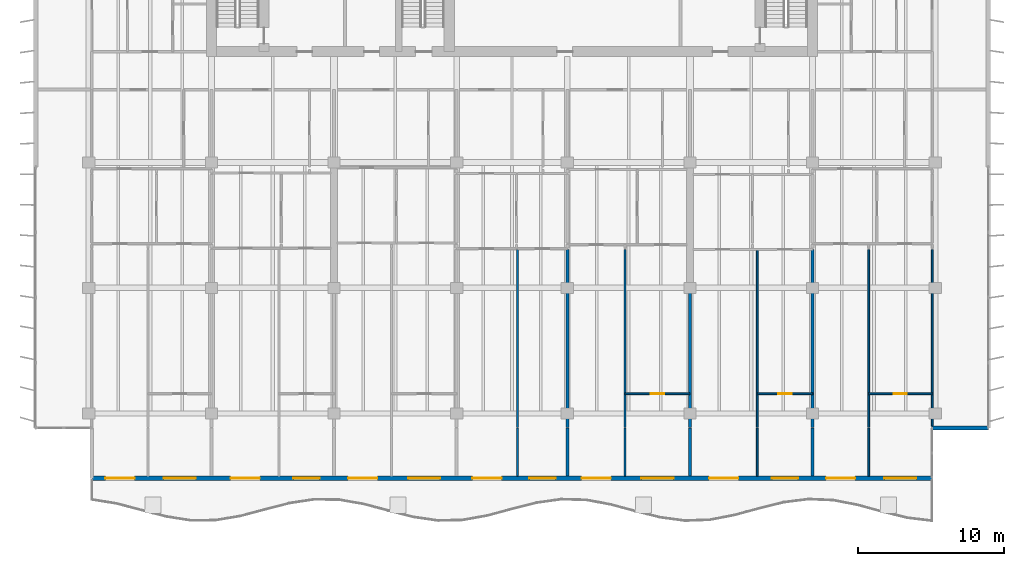
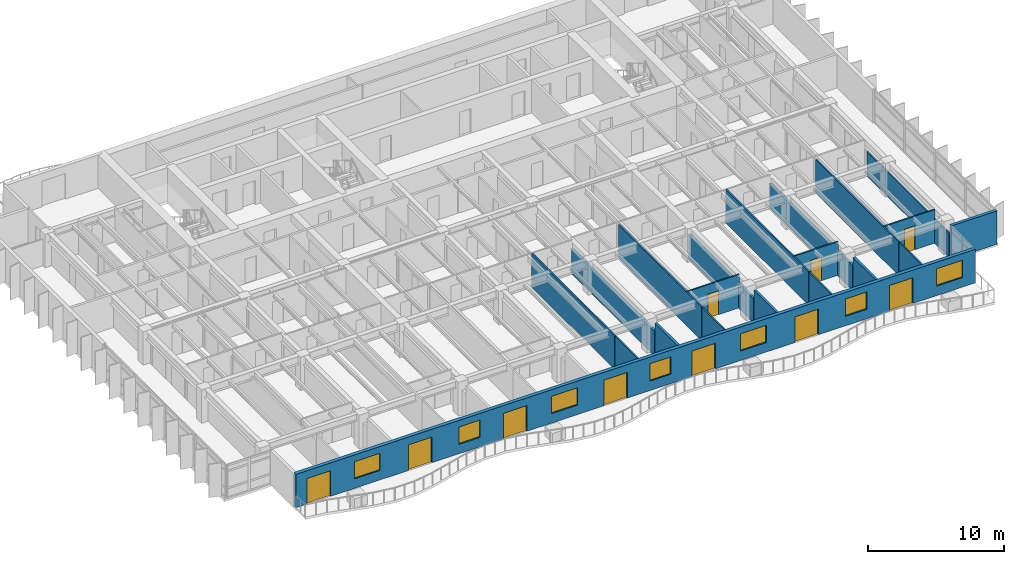
# One storey, part 10 of 19: 20 walls, 10 doors, 7 windows, 17 openings.
"""IFC4 building model written with IfcOpenShell, lengths in metres."""

import ifcopenshell
import ifcopenshell.guid

model = None  # the IFC model being written
_history = None  # IfcOwnerHistory: only IFC2X3 demands one
_inside = {}  # id of a spatial element -> (the spatial element, [elements in it])
_under = {}  # id of a project, library or spatial element -> (it, [spatial elements below it])
_declared = {}  # id of a project -> (the project, [libraries it declares])
_typed = {}  # id of a type object -> (the type object, [elements of that type])
_made_of = {}  # id of a material, layer set ... -> (it, [elements and type objects made of it])


def new_model(schema):
    """Start an empty IFC model of exactly this schema.

    Asked for "IFC4X3", IfcOpenShell would pick the latest addendum, in which some entities
    have other attributes; the version numbers below select the first issue.
    IFC2X3 requires an IfcOwnerHistory on every rooted entity: one is made here for all.
    """
    global model, _history
    if schema == "IFC4X3":
        model = ifcopenshell.file(schema_version=(4, 3, 0, 0))
    else:
        model = ifcopenshell.file(schema=schema)
    _inside.clear()
    _under.clear()
    _declared.clear()
    _typed.clear()
    _made_of.clear()
    _history = None
    if model.schema == "IFC2X3":
        org = make("IfcOrganization", Name="unknown")
        user = make(
            "IfcPersonAndOrganization",
            ThePerson=make("IfcPerson", FamilyName="unknown"),
            TheOrganization=org,
        )
        app = make(
            "IfcApplication",
            ApplicationDeveloper=org,
            Version="unknown",
            ApplicationFullName="unknown",
            ApplicationIdentifier="unknown",
        )
        _history = make(
            "IfcOwnerHistory",
            OwningUser=user,
            OwningApplication=app,
            ChangeAction="ADDED",
            CreationDate=0,
        )
    return model


def make(cls, **values):
    """One entity of the class cls with the attributes given. An attribute that is None is left unset."""
    return model.create_entity(
        cls, **{name: value for name, value in values.items() if value is not None}
    )


def rooted(cls, **values):
    """An entity with a GlobalId (a new one), such as an element, a storey or a relation."""
    return make(cls, GlobalId=ifcopenshell.guid.new(), OwnerHistory=_history, **values)


def si_unit(unit_type, name, prefix=None):
    """IfcSIUnit, for example si_unit("LENGTHUNIT", "METRE", prefix="MILLI")."""
    return make("IfcSIUnit", UnitType=unit_type, Prefix=prefix, Name=name)


def assignment(units):
    """IfcUnitAssignment: the units of a project."""
    return None if units is None else make("IfcUnitAssignment", Units=units)


def point(xyz):
    """IfcCartesianPoint."""
    return None if xyz is None else make("IfcCartesianPoint", Coordinates=xyz)


def direction(xyz):
    """IfcDirection."""
    return None if xyz is None else make("IfcDirection", DirectionRatios=xyz)


def frame(location, z_axis=None, x_axis=None):
    """IfcAxis2Placement3D, a coordinate frame: its origin and axes. An axis left out is left unset."""
    return make(
        "IfcAxis2Placement3D",
        Location=point(location),
        Axis=direction(z_axis),
        RefDirection=direction(x_axis),
    )


def frame_2d(location, x_axis=None):
    """IfcAxis2Placement2D, a coordinate frame in the plane: its origin and x axis."""
    return make(
        "IfcAxis2Placement2D", Location=point(location), RefDirection=direction(x_axis)
    )


def origin():
    """The frame at (0, 0, 0) with its axes left unset."""
    return frame((0.0, 0.0, 0.0))


def place(relative_to, where):
    """IfcLocalPlacement: puts the frame where relative to a parent placement (None: the world)."""
    return make(
        "IfcLocalPlacement", PlacementRelTo=relative_to, RelativePlacement=where
    )


def context(
    kind, dimensions, precision=None, world=None, true_north=None, identifier=None
):
    """IfcGeometricRepresentationContext, for example the 3D "Model" context."""
    return make(
        "IfcGeometricRepresentationContext",
        ContextIdentifier=identifier,
        ContextType=kind,
        CoordinateSpaceDimension=dimensions,
        Precision=precision,
        WorldCoordinateSystem=world,
        TrueNorth=true_north,
    )


def subcontext(parent, identifier, kind, view, scale=None):
    """IfcGeometricRepresentationSubContext, for example "Body" below "Model"."""
    return make(
        "IfcGeometricRepresentationSubContext",
        ContextIdentifier=identifier,
        ContextType=kind,
        ParentContext=parent,
        TargetScale=scale,
        TargetView=view,
    )


def project(units=None, contexts=None):
    """IfcProject with its units and contexts."""
    return rooted(
        "IfcProject",
        Name="project",
        RepresentationContexts=contexts,
        UnitsInContext=assignment(units),
    )


def spatial(cls, under=None, at=None, **own):
    """A site, building, storey or space (cls), placed at a placement, below another one or the project."""
    s = rooted(cls, ObjectPlacement=at, **own)
    if under is not None:
        _under.setdefault(under.id(), (under, []))[1].append(s)
    return s


def profile(cls, at=None, kind="AREA", **sizes):
    """A parametric profile (cls). Its sizes go by their IFC names, for example OverallWidth=200.0."""
    return make(cls, ProfileType=kind, Position=at, **sizes)


def rectangle(**sizes):
    """IfcRectangleProfileDef."""
    return profile("IfcRectangleProfileDef", **sizes)


def extrude(swept, where, along, depth):
    """IfcExtrudedAreaSolid: the profile swept, set in the frame where, extruded along a direction by depth."""
    return make(
        "IfcExtrudedAreaSolid",
        SweptArea=swept,
        Position=where,
        ExtrudedDirection=direction(along),
        Depth=depth,
    )


def shape(context_of_items, identifier, shape_type, items):
    """IfcShapeRepresentation: the items that make up one representation, for example the "Body"."""
    return make(
        "IfcShapeRepresentation",
        ContextOfItems=context_of_items,
        RepresentationIdentifier=identifier,
        RepresentationType=shape_type,
        Items=items,
    )


def material(Name=None, Category=None):
    """IfcMaterial."""
    return make("IfcMaterial", Name=Name, Category=Category)


def layer(
    of_material, thickness, ventilated=None, Name=None, Category=None, Priority=None
):
    """IfcMaterialLayer: one layer of a wall or slab, of a material (None: an air gap)."""
    return make(
        "IfcMaterialLayer",
        Material=of_material,
        LayerThickness=thickness,
        IsVentilated=ventilated,
        Name=Name,
        Category=Category,
        Priority=Priority,
    )


def layer_set(layers, Name=None):
    """IfcMaterialLayerSet."""
    return make("IfcMaterialLayerSet", MaterialLayers=layers, LayerSetName=Name)


def made_of(thing, what):
    """Note that an element or type object is made of a material, layer set ...; save() writes the relation."""
    if what is not None:
        _made_of.setdefault(what.id(), (what, []))[1].append(thing)
    return thing


def type_object(cls, material=None, **own):
    """A type object (cls), such as IfcWallType, which elements share."""
    return made_of(rooted(cls, **own), material)


def element(
    cls,
    number,
    at=None,
    inside=None,
    cuts=None,
    type_object=None,
    material=None,
    context=None,
    identifier="Body",
    shape_type=None,
    held_by="IfcProductDefinitionShape",
    body=None,
    shapes=None,
    **own,
):
    """One element of the class cls, such as IfcWall. Its Tag is "e" and its number.

    at: its placement. inside: the storey or other place that contains it. cuts: it is an
    opening in that element (IfcRelVoidsElement). A single representation is given by context,
    identifier, shape_type and body (its items); several are given by shapes. held_by: the class
    of the entity that holds the representations. save() writes the other relations.
    """
    e = rooted(cls, Tag="e%d" % number, ObjectPlacement=at, **own)
    if body is not None:
        shapes = [shape(context, identifier, shape_type, body)]
    if shapes is not None:
        e.Representation = make(held_by, Representations=shapes)
    if inside is not None:
        _inside.setdefault(inside.id(), (inside, []))[1].append(e)
    if cuts is not None:
        rooted(
            "IfcRelVoidsElement", RelatingBuildingElement=cuts, RelatedOpeningElement=e
        )
    if type_object is not None:
        _typed.setdefault(type_object.id(), (type_object, []))[1].append(e)
    return made_of(e, material)


def fill(opening, filler):
    """IfcRelFillsElement: the door or window that sits in an opening."""
    return rooted(
        "IfcRelFillsElement",
        RelatingOpeningElement=opening,
        RelatedBuildingElement=filler,
    )


def aggregate(whole, parts):
    """IfcRelAggregates: a whole, such as a stair, and the parts it consists of."""
    return rooted("IfcRelAggregates", RelatingObject=whole, RelatedObjects=parts)


def save(model, path):
    """Write the relations noted so far, then the file.

    IfcRelAggregates (storeys below a building ...), IfcRelContainedInSpatialStructure (elements
    in a storey), IfcRelDefinesByType, IfcRelAssociatesMaterial and IfcRelDeclares: one each for
    every whole, place, type object, material and project.
    """
    for whole, parts in _under.values():
        aggregate(whole, parts)
    for where, things in _inside.values():
        rooted(
            "IfcRelContainedInSpatialStructure",
            RelatedElements=things,
            RelatingStructure=where,
        )
    for kind, things in _typed.values():
        rooted("IfcRelDefinesByType", RelatedObjects=things, RelatingType=kind)
    for what, things in _made_of.values():
        rooted("IfcRelAssociatesMaterial", RelatedObjects=things, RelatingMaterial=what)
    for by, libraries in _declared.values():
        rooted("IfcRelDeclares", RelatingContext=by, RelatedDefinitions=libraries)
    model.write(path)


model = new_model("IFC4")

# Units and contexts
model_context = context("Model", 3, precision=1e-05, world=origin(), true_north=direction((0.0, 1.0)))
body_context = subcontext(model_context, "Body", "Model", "MODEL_VIEW")
ifc_project = project(units=[si_unit("LENGTHUNIT", "METRE"), si_unit("AREAUNIT", "SQUARE_METRE"), si_unit("VOLUMEUNIT", "CUBIC_METRE"), si_unit("PLANEANGLEUNIT", "RADIAN"), si_unit("MASSUNIT", "GRAM", prefix="KILO")], contexts=[model_context])

# Site, building, storey
site_placement = place(None, origin())
site = spatial("IfcSite", under=ifc_project, at=site_placement, CompositionType="ELEMENT")
building_placement = place(site_placement, origin())
building = spatial("IfcBuilding", under=site, at=building_placement, Name="Caelmar Bay Residences", CompositionType="ELEMENT")
storey_placement = place(building_placement, frame((0.0, 0.0, 218.10009765625)))
storey = spatial("IfcBuildingStorey", under=building, at=storey_placement, Name="L61", CompositionType="ELEMENT", Elevation=218.10009765625)

# Wall
ifc_material_1 = material(Name="Precast concrete f'c 40 MPa (6,000 psi)", Category="concrete")
ifc_layer_1 = layer(ifc_material_1, 0.25)
ifc_layer_set_1 = layer_set([ifc_layer_1], Name="Precast concrete f'c 40 MPa (6,000 psi)")
wall_type_1 = type_object("IfcWallType", Name="W-EXT-250", PredefinedType="ELEMENTEDWALL", material=ifc_layer_set_1)
wall_1_placement = place(storey_placement, frame((67.699951171875, 11.199951171875, 0.0), z_axis=(0.0, 0.0, 1.0), x_axis=(1.0, 0.0, 0.0)))
element("IfcWall", 1, at=wall_1_placement, inside=storey, type_object=wall_type_1, Name="L61 SE Notch Return Wall", PredefinedType="ELEMENTEDWALL", context=body_context, shape_type="SweptSolid", body=[
    extrude(rectangle(XDim=3.85009765625, YDim=0.25, at=frame_2d((1.925048828125, 0.0))), origin(), (0.0, 0.0, 1.0), 3.0),
])

# Wall, openings, doors, windows
ifc_layer_2 = layer(ifc_material_1, 0.300048828125)
ifc_layer_set_2 = layer_set([ifc_layer_2], Name="Precast concrete f'c 40 MPa (6,000 psi)")
wall_type_2 = type_object("IfcWallType", Name="W-EXT-300", PredefinedType="STANDARD", material=ifc_layer_set_2)
wall_2_placement = place(storey_placement, frame((67.699951171875, 7.75, 0.0), z_axis=(0.0, 0.0, 1.0), x_axis=(-1.0, 0.0, 0.0)))
wall_2 = element("IfcWall", 2, at=wall_2_placement, inside=storey, type_object=wall_type_2, Name="L61 South Bayfront Exterior Wall", PredefinedType="STANDARD", context=body_context, shape_type="SweptSolid", body=[
    extrude(rectangle(XDim=57.599853515625, YDim=0.300048828125, at=frame_2d((28.7998046875, 0.0))), origin(), (0.0, 0.0, 1.0), 3.0),
])
opening_1_placement = place(wall_2_placement, frame((54.673095703125, 0.0, 0.0)))
opening_1 = element("IfcOpeningElement", 3, at=opening_1_placement, cuts=wall_2, Name="Opening L61-BD01", PredefinedType="OPENING", context=body_context, shape_type="SweptSolid", body=[
    extrude(rectangle(XDim=2.0, YDim=2.300048828125, at=frame_2d((1.0, 1.14990234375))), frame((0.0, 0.159912109375, 0.0), z_axis=(0.0, -1.0, 0.0), x_axis=(1.0, 0.0, 0.0)), (0.0, 0.0, 1.0), 0.320068359375),
])
opening_2_placement = place(wall_2_placement, frame((50.472900390625, 0.0, 0.85009765625)))
opening_2 = element("IfcOpeningElement", 4, at=opening_2_placement, cuts=wall_2, Name="Opening WN2", PredefinedType="OPENING", context=body_context, shape_type="SweptSolid", body=[
    extrude(rectangle(XDim=2.199951171875, YDim=1.550048828125, at=frame_2d((1.10009765625, 0.77490234375))), frame((0.0, 0.159912109375, 0.0), z_axis=(0.0, -1.0, 0.0), x_axis=(1.0, 0.0, 0.0)), (0.0, 0.0, 1.0), 0.320068359375),
])
opening_3_placement = place(wall_2_placement, frame((46.090087890625, 0.0, 0.0)))
opening_3 = element("IfcOpeningElement", 5, at=opening_3_placement, cuts=wall_2, Name="Opening L61-BD02", PredefinedType="OPENING", context=body_context, shape_type="SweptSolid", body=[
    extrude(rectangle(XDim=2.0, YDim=2.300048828125, at=frame_2d((1.0, 1.14990234375))), frame((0.0, 0.159912109375, 0.0), z_axis=(0.0, -1.0, 0.0), x_axis=(1.0, 0.0, 0.0)), (0.0, 0.0, 1.0), 0.320068359375),
])
opening_4_placement = place(wall_2_placement, frame((41.989990234375, 0.0, 0.85009765625)))
opening_4 = element("IfcOpeningElement", 6, at=opening_4_placement, cuts=wall_2, Name="Opening WN1", PredefinedType="OPENING", context=body_context, shape_type="SweptSolid", body=[
    extrude(rectangle(XDim=1.800048828125, YDim=1.550048828125, at=frame_2d((0.89990234375, 0.77490234375))), frame((0.0, 0.159912109375, 0.0), z_axis=(0.0, -1.0, 0.0), x_axis=(1.0, 0.0, 0.0)), (0.0, 0.0, 1.0), 0.320068359375),
])
opening_5_placement = place(wall_2_placement, frame((38.02587890625, 0.0, 0.0)))
opening_5 = element("IfcOpeningElement", 7, at=opening_5_placement, cuts=wall_2, Name="Opening L61-BD03", PredefinedType="OPENING", context=body_context, shape_type="SweptSolid", body=[
    extrude(rectangle(XDim=2.0, YDim=2.300048828125, at=frame_2d((1.0, 1.14990234375))), frame((0.0, 0.159912109375, 0.0), z_axis=(0.0, -1.0, 0.0), x_axis=(1.0, 0.0, 0.0)), (0.0, 0.0, 1.0), 0.320068359375),
])
opening_6_placement = place(wall_2_placement, frame((33.72607421875, 0.0, 0.85009765625)))
opening_6 = element("IfcOpeningElement", 8, at=opening_6_placement, cuts=wall_2, Name="Opening WN2", PredefinedType="OPENING", context=body_context, shape_type="SweptSolid", body=[
    extrude(rectangle(XDim=2.199951171875, YDim=1.550048828125, at=frame_2d((1.10009765625, 0.77490234375))), frame((0.0, 0.159912109375, 0.0), z_axis=(0.0, -1.0, 0.0), x_axis=(1.0, 0.0, 0.0)), (0.0, 0.0, 1.0), 0.320068359375),
])
opening_7_placement = place(wall_2_placement, frame((29.510009765625, 0.0, 0.0)))
opening_7 = element("IfcOpeningElement", 9, at=opening_7_placement, cuts=wall_2, Name="Opening L61-BD04", PredefinedType="OPENING", context=body_context, shape_type="SweptSolid", body=[
    extrude(rectangle(XDim=2.0, YDim=2.300048828125, at=frame_2d((1.0, 1.14990234375))), frame((0.0, 0.159912109375, 0.0), z_axis=(0.0, -1.0, 0.0), x_axis=(1.0, 0.0, 0.0)), (0.0, 0.0, 1.0), 0.320068359375),
])
opening_8_placement = place(wall_2_placement, frame((25.81005859375, 0.0, 0.85009765625)))
opening_8 = element("IfcOpeningElement", 10, at=opening_8_placement, cuts=wall_2, Name="Opening WN1", PredefinedType="OPENING", context=body_context, shape_type="SweptSolid", body=[
    extrude(rectangle(XDim=1.800048828125, YDim=1.550048828125, at=frame_2d((0.89990234375, 0.77490234375))), frame((0.0, 0.159912109375, 0.0), z_axis=(0.0, -1.0, 0.0), x_axis=(1.0, 0.0, 0.0)), (0.0, 0.0, 1.0), 0.320068359375),
])
opening_9_placement = place(wall_2_placement, frame((22.02587890625, 0.0, 0.0)))
opening_9 = element("IfcOpeningElement", 11, at=opening_9_placement, cuts=wall_2, Name="Opening L61-BD05", PredefinedType="OPENING", context=body_context, shape_type="SweptSolid", body=[
    extrude(rectangle(XDim=2.0, YDim=2.300048828125, at=frame_2d((1.0, 1.14990234375))), frame((0.0, 0.159912109375, 0.0), z_axis=(0.0, -1.0, 0.0), x_axis=(1.0, 0.0, 0.0)), (0.0, 0.0, 1.0), 0.320068359375),
])
opening_10_placement = place(wall_2_placement, frame((17.72607421875, 0.0, 0.85009765625)))
opening_10 = element("IfcOpeningElement", 12, at=opening_10_placement, cuts=wall_2, Name="Opening WN2", PredefinedType="OPENING", context=body_context, shape_type="SweptSolid", body=[
    extrude(rectangle(XDim=2.199951171875, YDim=1.550048828125, at=frame_2d((1.10009765625, 0.77490234375))), frame((0.0, 0.159912109375, 0.0), z_axis=(0.0, -1.0, 0.0), x_axis=(1.0, 0.0, 0.0)), (0.0, 0.0, 1.0), 0.320068359375),
])
opening_11_placement = place(wall_2_placement, frame((13.2900390625, 0.0, 0.0)))
opening_11 = element("IfcOpeningElement", 13, at=opening_11_placement, cuts=wall_2, Name="Opening L61-BD06", PredefinedType="OPENING", context=body_context, shape_type="SweptSolid", body=[
    extrude(rectangle(XDim=2.0, YDim=2.300048828125, at=frame_2d((1.0, 1.14990234375))), frame((0.0, 0.159912109375, 0.0), z_axis=(0.0, -1.0, 0.0), x_axis=(1.0, 0.0, 0.0)), (0.0, 0.0, 1.0), 0.320068359375),
])
opening_12_placement = place(wall_2_placement, frame((9.18994140625, 0.0, 0.85009765625)))
opening_12 = element("IfcOpeningElement", 14, at=opening_12_placement, cuts=wall_2, Name="Opening WN1", PredefinedType="OPENING", context=body_context, shape_type="SweptSolid", body=[
    extrude(rectangle(XDim=1.800048828125, YDim=1.550048828125, at=frame_2d((0.89990234375, 0.77490234375))), frame((0.0, 0.159912109375, 0.0), z_axis=(0.0, -1.0, 0.0), x_axis=(1.0, 0.0, 0.0)), (0.0, 0.0, 1.0), 0.320068359375),
])
opening_13_placement = place(wall_2_placement, frame((5.27294921875, 0.0, 0.0)))
opening_13 = element("IfcOpeningElement", 15, at=opening_13_placement, cuts=wall_2, Name="Opening L61-BD07", PredefinedType="OPENING", context=body_context, shape_type="SweptSolid", body=[
    extrude(rectangle(XDim=2.0, YDim=2.300048828125, at=frame_2d((1.0, 1.14990234375))), frame((0.0, 0.159912109375, 0.0), z_axis=(0.0, -1.0, 0.0), x_axis=(1.0, 0.0, 0.0)), (0.0, 0.0, 1.0), 0.320068359375),
])
opening_14_placement = place(wall_2_placement, frame((1.072998046875, 0.0, 0.85009765625)))
opening_14 = element("IfcOpeningElement", 16, at=opening_14_placement, cuts=wall_2, Name="Opening WN2", PredefinedType="OPENING", context=body_context, shape_type="SweptSolid", body=[
    extrude(rectangle(XDim=2.199951171875, YDim=1.550048828125, at=frame_2d((1.10009765625, 0.77490234375))), frame((0.0, 0.159912109375, 0.0), z_axis=(0.0, -1.0, 0.0), x_axis=(1.0, 0.0, 0.0)), (0.0, 0.0, 1.0), 0.320068359375),
])
ifc_material_2 = material(Name="Anodised bronze thermally broken sliding glass door", Category="glass")
ifc_layer_3 = layer(ifc_material_2, 0.050048828125)
ifc_layer_set_3 = layer_set([ifc_layer_3], Name="Anodised bronze thermally broken sliding glass door")
door_type_1 = type_object("IfcDoorType", Name="D-BAL-2000", OperationType="DOUBLE_DOOR_SLIDING", PredefinedType="DOOR", material=ifc_layer_set_3)
door_1_placement = place(opening_1_placement, origin())
door_1 = element("IfcDoor", 17, at=door_1_placement, inside=storey, type_object=door_type_1, Name="L61 Residence 01 Living Room Balcony Door", OperationType="DOUBLE_DOOR_SLIDING", OverallHeight=2.300048828125, OverallWidth=2.0, PredefinedType="DOOR", context=body_context, shape_type="SweptSolid", body=[
    extrude(rectangle(XDim=2.0, YDim=2.300048828125, at=frame_2d((1.0, 1.14990234375))), frame((0.0, 0.02490234375, 0.0), z_axis=(0.0, -1.0, 0.0), x_axis=(1.0, 0.0, 0.0)), (0.0, 0.0, 1.0), 0.050048828125),
])
fill(opening_1, door_1)
door_2_placement = place(opening_3_placement, origin())
door_2 = element("IfcDoor", 18, at=door_2_placement, inside=storey, type_object=door_type_1, Name="L61 Residence 02 Living Room Balcony Door", OperationType="DOUBLE_DOOR_SLIDING", OverallHeight=2.300048828125, OverallWidth=2.0, PredefinedType="DOOR", context=body_context, shape_type="SweptSolid", body=[
    extrude(rectangle(XDim=2.0, YDim=2.300048828125, at=frame_2d((1.0, 1.14990234375))), frame((0.0, 0.02490234375, 0.0), z_axis=(0.0, -1.0, 0.0), x_axis=(1.0, 0.0, 0.0)), (0.0, 0.0, 1.0), 0.050048828125),
])
fill(opening_3, door_2)
door_3_placement = place(opening_5_placement, origin())
door_3 = element("IfcDoor", 19, at=door_3_placement, inside=storey, type_object=door_type_1, Name="L61 Residence 03 Living Room Balcony Door", OperationType="DOUBLE_DOOR_SLIDING", OverallHeight=2.300048828125, OverallWidth=2.0, PredefinedType="DOOR", context=body_context, shape_type="SweptSolid", body=[
    extrude(rectangle(XDim=2.0, YDim=2.300048828125, at=frame_2d((1.0, 1.14990234375))), frame((0.0, 0.02490234375, 0.0), z_axis=(0.0, -1.0, 0.0), x_axis=(1.0, 0.0, 0.0)), (0.0, 0.0, 1.0), 0.050048828125),
])
fill(opening_5, door_3)
door_4_placement = place(opening_7_placement, origin())
door_4 = element("IfcDoor", 20, at=door_4_placement, inside=storey, type_object=door_type_1, Name="L61 Residence 04 Living Room Balcony Door", OperationType="DOUBLE_DOOR_SLIDING", OverallHeight=2.300048828125, OverallWidth=2.0, PredefinedType="DOOR", context=body_context, shape_type="SweptSolid", body=[
    extrude(rectangle(XDim=2.0, YDim=2.300048828125, at=frame_2d((1.0, 1.14990234375))), frame((0.0, 0.02490234375, 0.0), z_axis=(0.0, -1.0, 0.0), x_axis=(1.0, 0.0, 0.0)), (0.0, 0.0, 1.0), 0.050048828125),
])
fill(opening_7, door_4)
door_5_placement = place(opening_9_placement, origin())
door_5 = element("IfcDoor", 21, at=door_5_placement, inside=storey, type_object=door_type_1, Name="L61 Residence 05 Living Room Balcony Door", OperationType="DOUBLE_DOOR_SLIDING", OverallHeight=2.300048828125, OverallWidth=2.0, PredefinedType="DOOR", context=body_context, shape_type="SweptSolid", body=[
    extrude(rectangle(XDim=2.0, YDim=2.300048828125, at=frame_2d((1.0, 1.14990234375))), frame((0.0, 0.02490234375, 0.0), z_axis=(0.0, -1.0, 0.0), x_axis=(1.0, 0.0, 0.0)), (0.0, 0.0, 1.0), 0.050048828125),
])
fill(opening_9, door_5)
door_6_placement = place(opening_11_placement, origin())
door_6 = element("IfcDoor", 22, at=door_6_placement, inside=storey, type_object=door_type_1, Name="L61 Residence 06 Living Room Balcony Door", OperationType="DOUBLE_DOOR_SLIDING", OverallHeight=2.300048828125, OverallWidth=2.0, PredefinedType="DOOR", context=body_context, shape_type="SweptSolid", body=[
    extrude(rectangle(XDim=2.0, YDim=2.300048828125, at=frame_2d((1.0, 1.14990234375))), frame((0.0, 0.02490234375, 0.0), z_axis=(0.0, -1.0, 0.0), x_axis=(1.0, 0.0, 0.0)), (0.0, 0.0, 1.0), 0.050048828125),
])
fill(opening_11, door_6)
door_7_placement = place(opening_13_placement, origin())
door_7 = element("IfcDoor", 23, at=door_7_placement, inside=storey, type_object=door_type_1, Name="L61 Residence 07 Living Room Balcony Door", OperationType="DOUBLE_DOOR_SLIDING", OverallHeight=2.300048828125, OverallWidth=2.0, PredefinedType="DOOR", context=body_context, shape_type="SweptSolid", body=[
    extrude(rectangle(XDim=2.0, YDim=2.300048828125, at=frame_2d((1.0, 1.14990234375))), frame((0.0, 0.02490234375, 0.0), z_axis=(0.0, -1.0, 0.0), x_axis=(1.0, 0.0, 0.0)), (0.0, 0.0, 1.0), 0.050048828125),
])
fill(opening_13, door_7)
ifc_material_3 = material(Name="Bronze aluminium frame with laminated low-E glass", Category="aluminium")
ifc_layer_4 = layer(ifc_material_3, 0.06005859375)
ifc_layer_set_4 = layer_set([ifc_layer_4], Name="Bronze aluminium frame with laminated low-E glass")
window_type_1 = type_object("IfcWindowType", Name="WIN-BR-1800", PartitioningType="SINGLE_PANEL", PredefinedType="WINDOW", material=ifc_layer_set_4)
window_1_placement = place(opening_4_placement, origin())
window_1 = element("IfcWindow", 24, at=window_1_placement, inside=storey, type_object=window_type_1, Name="L61 Residence 02 Primary Bedroom Window", OverallHeight=1.550048828125, OverallWidth=1.800048828125, PartitioningType="SINGLE_PANEL", PredefinedType="WINDOW", context=body_context, shape_type="SweptSolid", body=[
    extrude(rectangle(XDim=1.800048828125, YDim=1.550048828125, at=frame_2d((0.89990234375, 0.77490234375))), frame((0.0, 0.030029296875, 0.0), z_axis=(0.0, -1.0, 0.0), x_axis=(1.0, 0.0, 0.0)), (0.0, 0.0, 1.0), 0.06005859375),
])
fill(opening_4, window_1)
window_2_placement = place(opening_8_placement, origin())
window_2 = element("IfcWindow", 25, at=window_2_placement, inside=storey, type_object=window_type_1, Name="L61 Residence 04 Primary Bedroom Window", OverallHeight=1.550048828125, OverallWidth=1.800048828125, PartitioningType="SINGLE_PANEL", PredefinedType="WINDOW", context=body_context, shape_type="SweptSolid", body=[
    extrude(rectangle(XDim=1.800048828125, YDim=1.550048828125, at=frame_2d((0.89990234375, 0.77490234375))), frame((0.0, 0.030029296875, 0.0), z_axis=(0.0, -1.0, 0.0), x_axis=(1.0, 0.0, 0.0)), (0.0, 0.0, 1.0), 0.06005859375),
])
fill(opening_8, window_2)
window_3_placement = place(opening_12_placement, origin())
window_3 = element("IfcWindow", 26, at=window_3_placement, inside=storey, type_object=window_type_1, Name="L61 Residence 06 Primary Bedroom Window", OverallHeight=1.550048828125, OverallWidth=1.800048828125, PartitioningType="SINGLE_PANEL", PredefinedType="WINDOW", context=body_context, shape_type="SweptSolid", body=[
    extrude(rectangle(XDim=1.800048828125, YDim=1.550048828125, at=frame_2d((0.89990234375, 0.77490234375))), frame((0.0, 0.030029296875, 0.0), z_axis=(0.0, -1.0, 0.0), x_axis=(1.0, 0.0, 0.0)), (0.0, 0.0, 1.0), 0.06005859375),
])
fill(opening_12, window_3)
ifc_layer_5 = layer(ifc_material_3, 0.06005859375)
ifc_layer_set_5 = layer_set([ifc_layer_5], Name="Bronze aluminium frame with laminated low-E glass")
window_type_2 = type_object("IfcWindowType", Name="WIN-BR-2200", PartitioningType="SINGLE_PANEL", PredefinedType="WINDOW", material=ifc_layer_set_5)
window_4_placement = place(opening_2_placement, origin())
window_4 = element("IfcWindow", 27, at=window_4_placement, inside=storey, type_object=window_type_2, Name="L61 Residence 01 Primary Bedroom Window", OverallHeight=1.550048828125, OverallWidth=2.199951171875, PartitioningType="SINGLE_PANEL", PredefinedType="WINDOW", context=body_context, shape_type="SweptSolid", body=[
    extrude(rectangle(XDim=2.199951171875, YDim=1.550048828125, at=frame_2d((1.10009765625, 0.77490234375))), frame((0.0, 0.030029296875, 0.0), z_axis=(0.0, -1.0, 0.0), x_axis=(1.0, 0.0, 0.0)), (0.0, 0.0, 1.0), 0.06005859375),
])
fill(opening_2, window_4)
window_5_placement = place(opening_6_placement, origin())
window_5 = element("IfcWindow", 28, at=window_5_placement, inside=storey, type_object=window_type_2, Name="L61 Residence 03 Primary Bedroom Window", OverallHeight=1.550048828125, OverallWidth=2.199951171875, PartitioningType="SINGLE_PANEL", PredefinedType="WINDOW", context=body_context, shape_type="SweptSolid", body=[
    extrude(rectangle(XDim=2.199951171875, YDim=1.550048828125, at=frame_2d((1.10009765625, 0.77490234375))), frame((0.0, 0.030029296875, 0.0), z_axis=(0.0, -1.0, 0.0), x_axis=(1.0, 0.0, 0.0)), (0.0, 0.0, 1.0), 0.06005859375),
])
fill(opening_6, window_5)
window_6_placement = place(opening_10_placement, origin())
window_6 = element("IfcWindow", 29, at=window_6_placement, inside=storey, type_object=window_type_2, Name="L61 Residence 05 Primary Bedroom Window", OverallHeight=1.550048828125, OverallWidth=2.199951171875, PartitioningType="SINGLE_PANEL", PredefinedType="WINDOW", context=body_context, shape_type="SweptSolid", body=[
    extrude(rectangle(XDim=2.199951171875, YDim=1.550048828125, at=frame_2d((1.10009765625, 0.77490234375))), frame((0.0, 0.030029296875, 0.0), z_axis=(0.0, -1.0, 0.0), x_axis=(1.0, 0.0, 0.0)), (0.0, 0.0, 1.0), 0.06005859375),
])
fill(opening_10, window_6)
window_7_placement = place(opening_14_placement, origin())
window_7 = element("IfcWindow", 30, at=window_7_placement, inside=storey, type_object=window_type_2, Name="L61 Residence 07 Primary Bedroom Window", OverallHeight=1.550048828125, OverallWidth=2.199951171875, PartitioningType="SINGLE_PANEL", PredefinedType="WINDOW", context=body_context, shape_type="SweptSolid", body=[
    extrude(rectangle(XDim=2.199951171875, YDim=1.550048828125, at=frame_2d((1.10009765625, 0.77490234375))), frame((0.0, 0.030029296875, 0.0), z_axis=(0.0, -1.0, 0.0), x_axis=(1.0, 0.0, 0.0)), (0.0, 0.0, 1.0), 0.06005859375),
])
fill(opening_14, window_7)

# Walls
ifc_material_4 = material(Name="Acoustic metal-stud gypsum partition 120 mm")
ifc_layer_6 = layer(ifc_material_4, 0.1201171875)
ifc_layer_set_6 = layer_set([ifc_layer_6], Name="Acoustic metal-stud gypsum partition 120 mm")
wall_type_3 = type_object("IfcWallType", Name="W-PRT-120", PredefinedType="PARTITIONING", material=ifc_layer_set_6)
wall_3_placement = place(storey_placement, frame((39.280029296875, 7.89501953125, 0.0), z_axis=(0.0, 0.0, 1.0), x_axis=(0.0, 1.0, 0.0)))
element("IfcWall", 31, at=wall_3_placement, inside=storey, type_object=wall_type_3, Name="L61 Partition Wall V051", PredefinedType="PARTITIONING", context=body_context, shape_type="SweptSolid", body=[
    extrude(rectangle(XDim=3.304931640625, YDim=0.1201171875, at=frame_2d((1.65234375, 0.0))), origin(), (0.0, 0.0, 1.0), 3.0),
])
wall_4_placement = place(storey_placement, frame((39.280029296875, 11.239990234375, 0.0), z_axis=(0.0, 0.0, 1.0), x_axis=(0.0, 1.0, 0.0)))
element("IfcWall", 32, at=wall_4_placement, inside=storey, type_object=wall_type_3, Name="L61 Partition Wall V052", PredefinedType="PARTITIONING", context=body_context, shape_type="SweptSolid", body=[
    extrude(rectangle(XDim=12.18994140625, YDim=0.1201171875, at=frame_2d((6.094970703125, 0.0))), origin(), (0.0, 0.0, 1.0), 3.0),
])
wall_5_placement = place(storey_placement, frame((46.64794921875, 7.89501953125, 0.0), z_axis=(0.0, 0.0, 1.0), x_axis=(0.0, 1.0, 0.0)))
element("IfcWall", 33, at=wall_5_placement, inside=storey, type_object=wall_type_3, Name="L61 Partition Wall V062", PredefinedType="PARTITIONING", context=body_context, shape_type="SweptSolid", body=[
    extrude(rectangle(XDim=3.304931640625, YDim=0.1201171875, at=frame_2d((1.65234375, 0.0))), origin(), (0.0, 0.0, 1.0), 3.0),
])
wall_6_placement = place(storey_placement, frame((46.64794921875, 11.239990234375, 0.0), z_axis=(0.0, 0.0, 1.0), x_axis=(0.0, 1.0, 0.0)))
element("IfcWall", 34, at=wall_6_placement, inside=storey, type_object=wall_type_3, Name="L61 Partition Wall V063", PredefinedType="PARTITIONING", context=body_context, shape_type="SweptSolid", body=[
    extrude(rectangle(XDim=12.18994140625, YDim=0.1201171875, at=frame_2d((6.094970703125, 0.0))), origin(), (0.0, 0.0, 1.0), 3.0),
])
wall_7_placement = place(storey_placement, frame((55.719970703125, 7.89501953125, 0.0), z_axis=(0.0, 0.0, 1.0), x_axis=(0.0, 1.0, 0.0)))
element("IfcWall", 35, at=wall_7_placement, inside=storey, type_object=wall_type_3, Name="L61 Partition Wall V077", PredefinedType="PARTITIONING", context=body_context, shape_type="SweptSolid", body=[
    extrude(rectangle(XDim=3.304931640625, YDim=0.1201171875, at=frame_2d((1.65234375, 0.0))), origin(), (0.0, 0.0, 1.0), 3.0),
])
wall_8_placement = place(storey_placement, frame((55.719970703125, 11.239990234375, 0.0), z_axis=(0.0, 0.0, 1.0), x_axis=(0.0, 1.0, 0.0)))
element("IfcWall", 36, at=wall_8_placement, inside=storey, type_object=wall_type_3, Name="L61 Partition Wall V078", PredefinedType="PARTITIONING", context=body_context, shape_type="SweptSolid", body=[
    extrude(rectangle(XDim=12.18994140625, YDim=0.1201171875, at=frame_2d((6.094970703125, 0.0))), origin(), (0.0, 0.0, 1.0), 3.0),
])
wall_9_placement = place(storey_placement, frame((63.35400390625, 7.89501953125, 0.0), z_axis=(0.0, 0.0, 1.0), x_axis=(0.0, 1.0, 0.0)))
element("IfcWall", 37, at=wall_9_placement, inside=storey, type_object=wall_type_3, Name="L61 Partition Wall V089", PredefinedType="PARTITIONING", context=body_context, shape_type="SweptSolid", body=[
    extrude(rectangle(XDim=3.304931640625, YDim=0.1201171875, at=frame_2d((1.65234375, 0.0))), origin(), (0.0, 0.0, 1.0), 3.0),
])
wall_10_placement = place(storey_placement, frame((63.35400390625, 11.239990234375, 0.0), z_axis=(0.0, 0.0, 1.0), x_axis=(0.0, 1.0, 0.0)))
element("IfcWall", 38, at=wall_10_placement, inside=storey, type_object=wall_type_3, Name="L61 Partition Wall V090", PredefinedType="PARTITIONING", context=body_context, shape_type="SweptSolid", body=[
    extrude(rectangle(XDim=12.18994140625, YDim=0.1201171875, at=frame_2d((6.094970703125, 0.0))), origin(), (0.0, 0.0, 1.0), 3.0),
])
wall_11_placement = place(storey_placement, frame((67.699951171875, 11.320068359375, 0.0), z_axis=(0.0, 0.0, 1.0), x_axis=(0.0, 1.0, 0.0)))
element("IfcWall", 39, at=wall_11_placement, inside=storey, type_object=wall_type_3, Name="L61 Partition Wall V096", PredefinedType="PARTITIONING", context=body_context, shape_type="SweptSolid", body=[
    extrude(rectangle(XDim=12.10986328125, YDim=0.1201171875, at=frame_2d((6.054931640625, 0.0))), origin(), (0.0, 0.0, 1.0), 2.212890625),
])

# Wall, opening, door
wall_12_placement = place(storey_placement, frame((46.64794921875, 13.550048828125, 0.0), z_axis=(0.0, 0.0, 1.0), x_axis=(1.0, 0.0, 0.0)))
wall_12 = element("IfcWall", 40, at=wall_12_placement, inside=storey, type_object=wall_type_3, Name="L61 Partition Wall H107", PredefinedType="PARTITIONING", context=body_context, shape_type="SweptSolid", body=[
    extrude(rectangle(XDim=4.4521484375, YDim=0.1201171875, at=frame_2d((2.22607421875, 0.0))), origin(), (0.0, 0.0, 1.0), 3.0),
])
opening_15_placement = place(wall_12_placement, frame((1.77587890625, 0.0, 0.0)))
opening_15 = element("IfcOpeningElement", 41, at=opening_15_placement, cuts=wall_12, Name="Opening D-L61-153", PredefinedType="OPENING", context=body_context, shape_type="SweptSolid", body=[
    extrude(rectangle(XDim=0.89990234375, YDim=2.14990234375, at=frame_2d((0.449951171875, 1.074951171875))), frame((0.0, 0.070068359375, 0.0), z_axis=(0.0, -1.0, 0.0), x_axis=(1.0, 0.0, 0.0)), (0.0, 0.0, 1.0), 0.14013671875),
])
ifc_material_5 = material(Name="Solid walnut timber interior door leaf and frame", Category="wood")
ifc_layer_7 = layer(ifc_material_5, 0.050048828125)
ifc_layer_set_7 = layer_set([ifc_layer_7], Name="Solid walnut timber interior door leaf and frame")
door_type_2 = type_object("IfcDoorType", Name="D-ROOM-900", OperationType="NOTDEFINED", PredefinedType="DOOR", material=ifc_layer_set_7)
door_8_placement = place(opening_15_placement, origin())
door_8 = element("IfcDoor", 42, at=door_8_placement, inside=storey, type_object=door_type_2, Name="L61 Residence 05 Primary Bedroom Door", OperationType="SINGLE_SWING_LEFT", OverallHeight=2.14990234375, OverallWidth=0.89990234375, PredefinedType="DOOR", context=body_context, shape_type="SweptSolid", body=[
    extrude(rectangle(XDim=0.89990234375, YDim=2.14990234375, at=frame_2d((0.449951171875, 1.074951171875))), frame((0.0, 0.02490234375, 0.0), z_axis=(0.0, -1.0, 0.0), x_axis=(1.0, 0.0, 0.0)), (0.0, 0.0, 1.0), 0.050048828125),
])
fill(opening_15, door_8)

wall_13_placement = place(storey_placement, frame((55.719970703125, 13.550048828125, 0.0), z_axis=(0.0, 0.0, 1.0), x_axis=(1.0, 0.0, 0.0)))
wall_13 = element("IfcWall", 43, at=wall_13_placement, inside=storey, type_object=wall_type_3, Name="L61 Partition Wall H108", PredefinedType="PARTITIONING", context=body_context, shape_type="SweptSolid", body=[
    extrude(rectangle(XDim=3.780029296875, YDim=0.1201171875, at=frame_2d((1.89013671875, 0.0))), origin(), (0.0, 0.0, 1.0), 3.0),
])
opening_16_placement = place(wall_13_placement, frame((1.43994140625, 0.0, 0.0)))
opening_16 = element("IfcOpeningElement", 44, at=opening_16_placement, cuts=wall_13, Name="Opening D-L61-160", PredefinedType="OPENING", context=body_context, shape_type="SweptSolid", body=[
    extrude(rectangle(XDim=0.89990234375, YDim=2.14990234375, at=frame_2d((0.449951171875, 1.074951171875))), frame((0.0, 0.070068359375, 0.0), z_axis=(0.0, -1.0, 0.0), x_axis=(1.0, 0.0, 0.0)), (0.0, 0.0, 1.0), 0.14013671875),
])
door_9_placement = place(opening_16_placement, origin())
door_9 = element("IfcDoor", 45, at=door_9_placement, inside=storey, type_object=door_type_2, Name="L61 Residence 06 Primary Bedroom Door", OperationType="SINGLE_SWING_RIGHT", OverallHeight=2.14990234375, OverallWidth=0.89990234375, PredefinedType="DOOR", context=body_context, shape_type="SweptSolid", body=[
    extrude(rectangle(XDim=0.89990234375, YDim=2.14990234375, at=frame_2d((0.449951171875, 1.074951171875))), frame((0.0, 0.02490234375, 0.0), z_axis=(0.0, -1.0, 0.0), x_axis=(1.0, 0.0, 0.0)), (0.0, 0.0, 1.0), 0.050048828125),
])
fill(opening_16, door_9)

wall_14_placement = place(storey_placement, frame((63.35400390625, 13.550048828125, 0.0), z_axis=(0.0, 0.0, 1.0), x_axis=(1.0, 0.0, 0.0)))
wall_14 = element("IfcWall", 46, at=wall_14_placement, inside=storey, type_object=wall_type_3, Name="L61 Partition Wall H109", PredefinedType="PARTITIONING", context=body_context, shape_type="SweptSolid", body=[
    extrude(rectangle(XDim=4.345947265625, YDim=0.1201171875, at=frame_2d((2.1728515625, 0.0))), origin(), (0.0, 0.0, 1.0), 3.0),
])
opening_17_placement = place(wall_14_placement, frame((1.722900390625, 0.0, 0.0)))
opening_17 = element("IfcOpeningElement", 47, at=opening_17_placement, cuts=wall_14, Name="Opening D-L61-167", PredefinedType="OPENING", context=body_context, shape_type="SweptSolid", body=[
    extrude(rectangle(XDim=0.89990234375, YDim=2.14990234375, at=frame_2d((0.449951171875, 1.074951171875))), frame((0.0, 0.070068359375, 0.0), z_axis=(0.0, -1.0, 0.0), x_axis=(1.0, 0.0, 0.0)), (0.0, 0.0, 1.0), 0.14013671875),
])
door_10_placement = place(opening_17_placement, origin())
door_10 = element("IfcDoor", 48, at=door_10_placement, inside=storey, type_object=door_type_2, Name="L61 Residence 07 Primary Bedroom Door", OperationType="SINGLE_SWING_LEFT", OverallHeight=2.14990234375, OverallWidth=0.89990234375, PredefinedType="DOOR", context=body_context, shape_type="SweptSolid", body=[
    extrude(rectangle(XDim=0.89990234375, YDim=2.14990234375, at=frame_2d((0.449951171875, 1.074951171875))), frame((0.0, 0.02490234375, 0.0), z_axis=(0.0, -1.0, 0.0), x_axis=(1.0, 0.0, 0.0)), (0.0, 0.0, 1.0), 0.050048828125),
])
fill(opening_17, door_10)

# Walls
ifc_material_6 = material(Name="Acoustic twin-stud fire-rated inter-tenancy partition 200 mm")
ifc_layer_8 = layer(ifc_material_6, 0.199951171875)
ifc_layer_set_8 = layer_set([ifc_layer_8], Name="Acoustic twin-stud fire-rated inter-tenancy partition 200 mm")
wall_type_4 = type_object("IfcWallType", Name="W-PTY-200", PredefinedType="PARTITIONING", material=ifc_layer_set_8)
wall_15_placement = place(storey_placement, frame((42.699951171875, 7.89501953125, 0.0), z_axis=(0.0, 0.0, 1.0), x_axis=(0.0, 1.0, 0.0)))
element("IfcWall", 49, at=wall_15_placement, inside=storey, type_object=wall_type_4, Name="L61 Partition Wall V056", PredefinedType="PARTITIONING", context=body_context, shape_type="SweptSolid", body=[
    extrude(rectangle(XDim=3.304931640625, YDim=0.199951171875, at=frame_2d((1.65234375, 0.0))), origin(), (0.0, 0.0, 1.0), 3.0),
])
wall_16_placement = place(storey_placement, frame((42.699951171875, 11.239990234375, 0.0), z_axis=(0.0, 0.0, 1.0), x_axis=(0.0, 1.0, 0.0)))
element("IfcWall", 50, at=wall_16_placement, inside=storey, type_object=wall_type_4, Name="L61 Partition Wall V057", PredefinedType="PARTITIONING", context=body_context, shape_type="SweptSolid", body=[
    extrude(rectangle(XDim=12.18994140625, YDim=0.199951171875, at=frame_2d((6.094970703125, 0.0))), origin(), (0.0, 0.0, 1.0), 2.212890625),
])
wall_17_placement = place(storey_placement, frame((51.10009765625, 7.89501953125, 0.0), z_axis=(0.0, 0.0, 1.0), x_axis=(0.0, 1.0, 0.0)))
element("IfcWall", 51, at=wall_17_placement, inside=storey, type_object=wall_type_4, Name="L61 Partition Wall V071", PredefinedType="PARTITIONING", context=body_context, shape_type="SweptSolid", body=[
    extrude(rectangle(XDim=3.304931640625, YDim=0.199951171875, at=frame_2d((1.65234375, 0.0))), origin(), (0.0, 0.0, 1.0), 3.0),
])
wall_18_placement = place(storey_placement, frame((51.10009765625, 11.239990234375, 0.0), z_axis=(0.0, 0.0, 1.0), x_axis=(0.0, 1.0, 0.0)))
element("IfcWall", 52, at=wall_18_placement, inside=storey, type_object=wall_type_4, Name="L61 Partition Wall V072", PredefinedType="PARTITIONING", context=body_context, shape_type="SweptSolid", body=[
    extrude(rectangle(XDim=9.554931640625, YDim=0.199951171875, at=frame_2d((4.77734375, 0.0))), origin(), (0.0, 0.0, 1.0), 2.212890625),
])
wall_19_placement = place(storey_placement, frame((59.5, 7.89501953125, 0.0), z_axis=(0.0, 0.0, 1.0), x_axis=(0.0, 1.0, 0.0)))
element("IfcWall", 53, at=wall_19_placement, inside=storey, type_object=wall_type_4, Name="L61 Partition Wall V082", PredefinedType="PARTITIONING", context=body_context, shape_type="SweptSolid", body=[
    extrude(rectangle(XDim=3.304931640625, YDim=0.199951171875, at=frame_2d((1.65234375, 0.0))), origin(), (0.0, 0.0, 1.0), 3.0),
])
wall_20_placement = place(storey_placement, frame((59.5, 11.239990234375, 0.0), z_axis=(0.0, 0.0, 1.0), x_axis=(0.0, 1.0, 0.0)))
element("IfcWall", 54, at=wall_20_placement, inside=storey, type_object=wall_type_4, Name="L61 Partition Wall V083", PredefinedType="PARTITIONING", context=body_context, shape_type="SweptSolid", body=[
    extrude(rectangle(XDim=12.18994140625, YDim=0.199951171875, at=frame_2d((6.094970703125, 0.0))), origin(), (0.0, 0.0, 1.0), 2.212890625),
])

save(model, "model.ifc")
